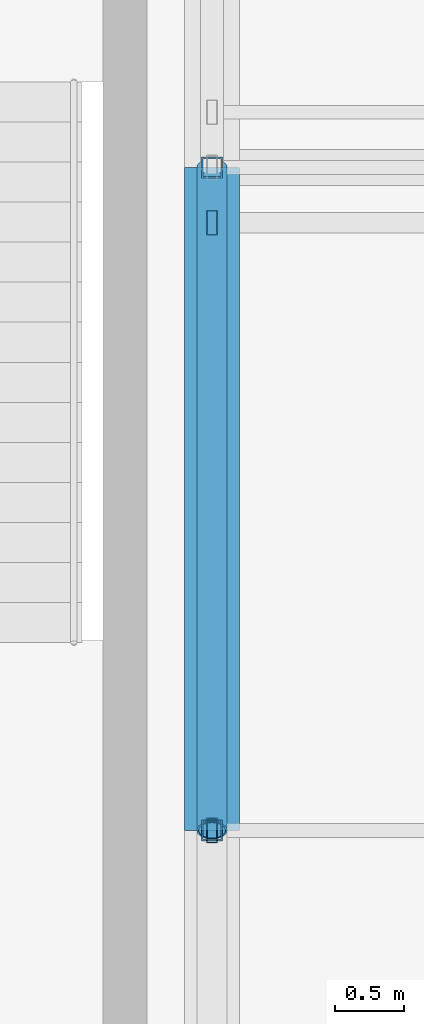
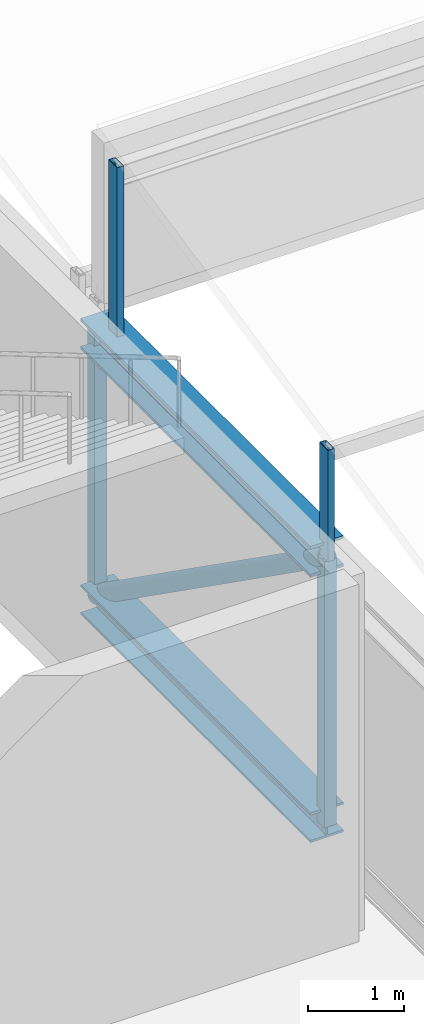
# One storey, part 13 of 136: 5 members, 2 beams.
"""IFC4 building model written with IfcOpenShell, lengths in metres."""

from ifc_helpers import new_model, si_unit, direction, frame, origin, origin_2d, place, context, subcontext, project, spatial, hollow_rectangle, hollow_circle, i_section, extrude, material, material_profile, profile_set, type_object, element, save


model = new_model("IFC4")

# Units and contexts
model_context = context("Model", 3, precision=1e-05, world=origin(), true_north=direction((0.0, 1.0)))
body_context = subcontext(model_context, "Body", "Model", "MODEL_VIEW")
ifc_project = project(units=[si_unit("LENGTHUNIT", "METRE"), si_unit("AREAUNIT", "SQUARE_METRE"), si_unit("VOLUMEUNIT", "CUBIC_METRE"), si_unit("PLANEANGLEUNIT", "RADIAN"), si_unit("MASSUNIT", "GRAM", prefix="KILO")], contexts=[model_context])

# Site, building, storey
site_placement = place(None, origin())
site = spatial("IfcSite", under=ifc_project, at=site_placement, CompositionType="ELEMENT")
building_placement = place(site_placement, origin())
building = spatial("IfcBuilding", under=site, at=building_placement, Name="Kisiwana Market Hall", CompositionType="ELEMENT")
storey_placement = place(building_placement, frame((0.0, 0.0, 16.800048828125)))
storey = spatial("IfcBuildingStorey", under=building, at=storey_placement, Name="L03", CompositionType="ELEMENT", Elevation=16.800048828125)

# Beams
ifc_material_1 = material(Name="Steel S355", Category="steel")
ifc_material_profile_1 = material_profile(ifc_material_1, i_section(OverallWidth=0.394775390625, OverallDepth=0.381103515625, WebThickness=0.018310546875, FlangeThickness=0.0302734375, at=origin_2d()), Name="UC 356x406x235")
ifc_profile_set_1 = profile_set([ifc_material_profile_1], Name="Steel S355")
beam_type_1 = type_object("IfcBeamType", Name="BM-TRUSS-BOT", PredefinedType="USERDEFINED", material=ifc_profile_set_1)
beam_1_placement = place(storey_placement, frame((45.0, 40.800048828125, 0.22998046875), z_axis=(0.0, 1.0, 0.0), x_axis=(-1.0, 0.0, 0.0)))
element("IfcBeam", 1, at=beam_1_placement, inside=storey, type_object=beam_type_1, Name="TR-01 BC panel 2 B-1179", ObjectType="ROOF TRUSS", PredefinedType="USERDEFINED", context=body_context, shape_type="SweptSolid", body=[
    extrude(i_section(OverallWidth=0.394775390625, OverallDepth=0.381103515625, WebThickness=0.018310546875, FlangeThickness=0.0302734375, at=origin_2d()), origin(), (0.0, 0.0, 1.0), 4.800048828125),
])
ifc_material_2 = material(Name="Steel S355", Category="steel")
ifc_material_profile_2 = material_profile(ifc_material_2, i_section(OverallWidth=0.39892578125, OverallDepth=0.3935546875, WebThickness=0.022705078125, FlangeThickness=0.03662109375, at=origin_2d()), Name="UC 356x406x287")
ifc_profile_set_2 = profile_set([ifc_material_profile_2], Name="Steel S355")
beam_type_2 = type_object("IfcBeamType", Name="BM-TRUSS-TOP", PredefinedType="USERDEFINED", material=ifc_profile_set_2)
beam_2_placement = place(storey_placement, frame((45.0, 40.800048828125, 3.619873046875), z_axis=(0.0, 1.0, 0.0), x_axis=(-1.0, 0.0, 0.0)))
element("IfcBeam", 2, at=beam_2_placement, inside=storey, type_object=beam_type_2, Name="TR-01 TC panel 2 B-1189", ObjectType="ROOF TRUSS", PredefinedType="USERDEFINED", context=body_context, shape_type="SweptSolid", body=[
    extrude(i_section(OverallWidth=0.39892578125, OverallDepth=0.3935546875, WebThickness=0.022705078125, FlangeThickness=0.03662109375, at=origin_2d()), origin(), (0.0, 0.0, 1.0), 4.800048828125),
])

# Members
ifc_material_3 = material(Name="Steel S355", Category="steel")
ifc_material_profile_3 = material_profile(ifc_material_3, hollow_rectangle(XDim=0.080078125, YDim=0.179931640625, WallThickness=0.00634765625, at=origin_2d()), Name="RHS 180x80x6.3")
ifc_profile_set_3 = profile_set([ifc_material_profile_3], Name="Steel S355")
member_type_1 = type_object("IfcMemberType", Name="MB-CAN-STRUT", PredefinedType="STRUT", material=ifc_profile_set_3)
member_1_placement = place(storey_placement, frame((45.0, 45.199951171875, 3.619873046875), z_axis=(0.0, 0.0, 1.0), x_axis=(1.0, 0.0, 0.0)))
element("IfcMember", 3, at=member_1_placement, inside=storey, type_object=member_type_1, Name="Sawtooth raker post 154 M-0225", PredefinedType="STRUT", context=body_context, shape_type="SweptSolid", body=[
    extrude(hollow_rectangle(XDim=0.080078125, YDim=0.179931640625, WallThickness=0.00634765625, at=origin_2d()), origin(), (0.0, 0.0, 1.0), 2.355712890625),
])
member_2_placement = place(storey_placement, frame((45.0, 40.800048828125, 3.619873046875), z_axis=(0.0, 0.0, 1.0), x_axis=(1.0, 0.0, 0.0)))
element("IfcMember", 4, at=member_2_placement, inside=storey, type_object=member_type_1, Name="Sawtooth mid-slope raker post 1 M-0053", PredefinedType="STRUT", context=body_context, shape_type="SweptSolid", body=[
    extrude(hollow_rectangle(XDim=0.080078125, YDim=0.179931640625, WallThickness=0.00634765625, at=origin_2d()), origin(), (0.0, 0.0, 1.0), 1.42041015625),
])
ifc_material_4 = material(Name="Steel S355", Category="steel")
ifc_material_profile_4 = material_profile(ifc_material_4, hollow_circle(Radius=0.109619140625, WallThickness=0.012451171875, at=origin_2d()), Name="CHS 219.1x12.5")
ifc_profile_set_4 = profile_set([ifc_material_profile_4], Name="Steel S355")
member_type_2 = type_object("IfcMemberType", Name="MB-TR-DIAG219", PredefinedType="BRACE", material=ifc_profile_set_4)
member_3_placement = place(storey_placement, frame((45.0, 40.800048828125, 3.619873046875), z_axis=(0.0, 0.816837735077, -0.576867501732), x_axis=(-1.0, 0.0, 0.0)))
element("IfcMember", 5, at=member_3_placement, inside=storey, type_object=member_type_2, Name="TR-01 diagonal 2 M-0338", PredefinedType="BRACE", context=body_context, shape_type="SweptSolid", body=[
    extrude(hollow_circle(Radius=0.109619140625, WallThickness=0.012451171875, at=origin_2d()), origin(), (0.0, 0.0, 1.0), 5.87646484375),
])
ifc_material_5 = material(Name="Steel S355", Category="steel")
ifc_material_profile_5 = material_profile(ifc_material_5, hollow_rectangle(XDim=0.14990234375, YDim=0.14990234375, WallThickness=0.008056640625, at=origin_2d()), Name="SHS 150x150x8.0")
ifc_profile_set_5 = profile_set([ifc_material_profile_5], Name="Steel S355")
member_type_3 = type_object("IfcMemberType", Name="MB-TR-STRUT200", PredefinedType="STRUT", material=ifc_profile_set_5)
for number, where, z_axis, x_axis, name in (
    (6, (45.0, 40.800048828125, 0.22998046875), (0.0, 0.0, 1.0), (1.0, 0.0, 0.0), "TR-01 vertical strut 2 M-0347"),
    (7, (45.0, 45.60009765625, 0.22998046875), (0.0, 0.0, 1.0), (1.0, 0.0, 0.0), "TR-01 vertical strut 3 M-0348"),
):
    element("IfcMember", number, at=place(storey_placement, frame(where, z_axis=z_axis, x_axis=x_axis)), inside=storey, type_object=member_type_3, Name=name, PredefinedType="STRUT", context=body_context, shape_type="SweptSolid", body=[
        extrude(hollow_rectangle(XDim=0.14990234375, YDim=0.14990234375, WallThickness=0.008056640625, at=origin_2d()), origin(), (0.0, 0.0, 1.0), 3.389892578125),
    ])

save(model, "model.ifc")
